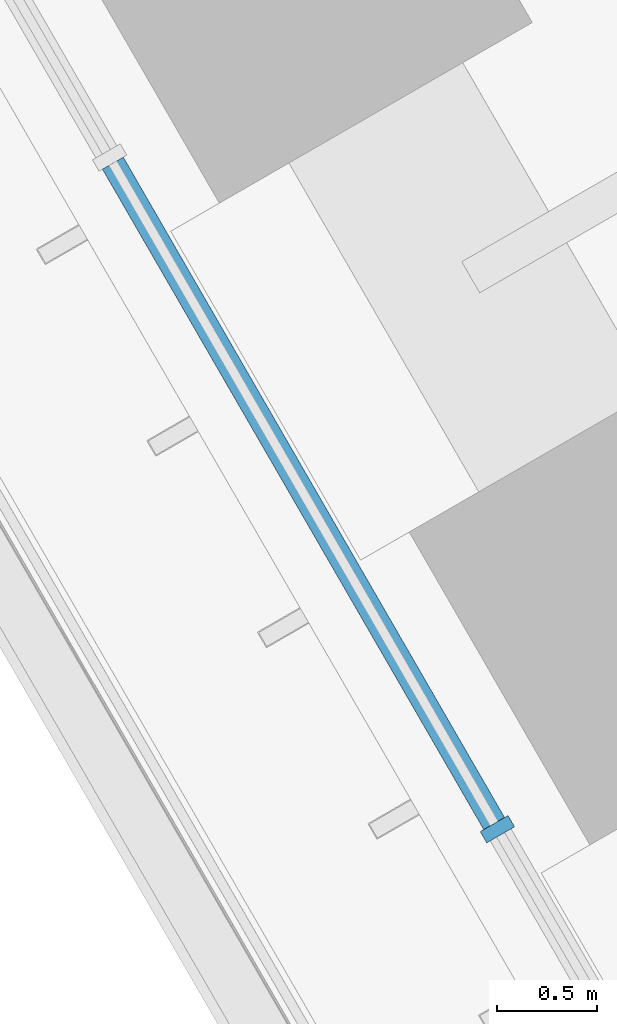
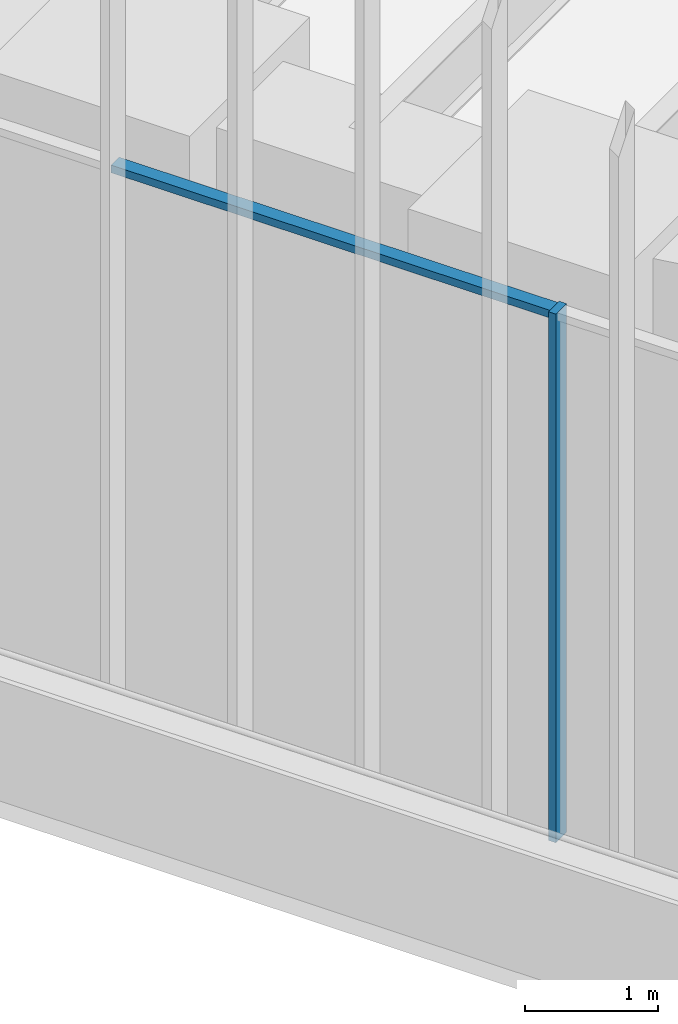
# One storey, part 25 of 228: 2 members, 1 element without a shape of its own.
"""IFC4 building model written with IfcOpenShell, lengths in metres."""

from ifc_helpers import new_model, si_unit, direction, frame, origin, origin_2d, place, context, subcontext, project, spatial, rectangle, extrude, material, material_profile, profile_set, type_object, element, aggregate, save


model = new_model("IFC4")

# Units and contexts
model_context = context("Model", 3, precision=1e-05, world=origin(), true_north=direction((0.0, 1.0)))
body_context = subcontext(model_context, "Body", "Model", "MODEL_VIEW")
ifc_project = project(units=[si_unit("LENGTHUNIT", "METRE"), si_unit("AREAUNIT", "SQUARE_METRE"), si_unit("VOLUMEUNIT", "CUBIC_METRE"), si_unit("PLANEANGLEUNIT", "RADIAN"), si_unit("MASSUNIT", "GRAM", prefix="KILO")], contexts=[model_context])

# Site, building, storey
site_placement = place(None, origin())
site = spatial("IfcSite", under=ifc_project, at=site_placement, CompositionType="ELEMENT")
building_placement = place(site_placement, origin())
building = spatial("IfcBuilding", under=site, at=building_placement, Name="Sandreach Pilgrim Tower", CompositionType="ELEMENT")
storey_placement = place(building_placement, frame((0.0, 0.0, 178.199951171875)))
storey = spatial("IfcBuildingStorey", under=building, at=storey_placement, Name="L44", CompositionType="ELEMENT", Elevation=178.199951171875)

# Curtain wall, members
ifc_material_1 = material(Name="Aluminium framed curtain wall", Category="aluminium")
curtain_wall_type = type_object("IfcCurtainWallType", Name="Upper hotel tower curtain wall", PredefinedType="NOTDEFINED", material=ifc_material_1)
curtain_wall_placement = place(storey_placement, origin())
curtain_wall = element("IfcCurtainWall", 1, at=curtain_wall_placement, inside=storey, type_object=curtain_wall_type, Name="CW-3 L44 SW", PredefinedType="NOTDEFINED")
ifc_material_2 = material(Name="Aluminium extrusion", Category="aluminium")
ifc_material_profile_1 = material_profile(ifc_material_2, rectangle(XDim=0.06494140625, YDim=0.159912109375, at=origin_2d()), Name="CW-3M 65X160")
ifc_profile_set_1 = profile_set([ifc_material_profile_1], Name="Aluminium extrusion")
member_type_1 = type_object("IfcMemberType", Name="CW-3 mullion", PredefinedType="MULLION", material=ifc_profile_set_1)
member_1_placement = place(storey_placement, frame((-11.5625, -22.29345703125, 0.0), z_axis=(0.0, 0.0, 1.0), x_axis=(-0.5, 0.866025403784, 0.0)))
member_1 = element("IfcMember", 2, at=member_1_placement, type_object=member_type_1, Name="CW-3 mullion 2", PredefinedType="MULLION", context=body_context, shape_type="SweptSolid", body=[
    extrude(rectangle(XDim=0.06494140625, YDim=0.159912109375, at=origin_2d()), origin(), (0.0, 0.0, 1.0), 4.840087890625),
])
ifc_material_3 = material(Name="Aluminium extrusion", Category="aluminium")
ifc_material_profile_2 = material_profile(ifc_material_3, rectangle(XDim=0.1201171875, YDim=0.070068359375, at=origin_2d()), Name="CW-3T 120X70")
ifc_profile_set_2 = profile_set([ifc_material_profile_2], Name="Aluminium extrusion")
member_type_2 = type_object("IfcMemberType", Name="CW-3 transom", PredefinedType="USERDEFINED", material=ifc_profile_set_2)
member_2_placement = place(storey_placement, frame((-11.57861328125, -22.265380859375, 4.804931640625), z_axis=(-0.500022797313, 0.86601224135, 0.0), x_axis=(-0.86601224135, -0.500022797313, 0.0)))
member_2 = element("IfcMember", 3, at=member_2_placement, type_object=member_type_2, Name="CW-3 head transom 2", ObjectType="TRANSOM", PredefinedType="USERDEFINED", context=body_context, shape_type="SweptSolid", body=[
    extrude(rectangle(XDim=0.1201171875, YDim=0.070068359375, at=origin_2d()), origin(), (0.0, 0.0, 1.0), 3.799560546875),
])
aggregate(curtain_wall, [member_1, member_2])

save(model, "model.ifc")
